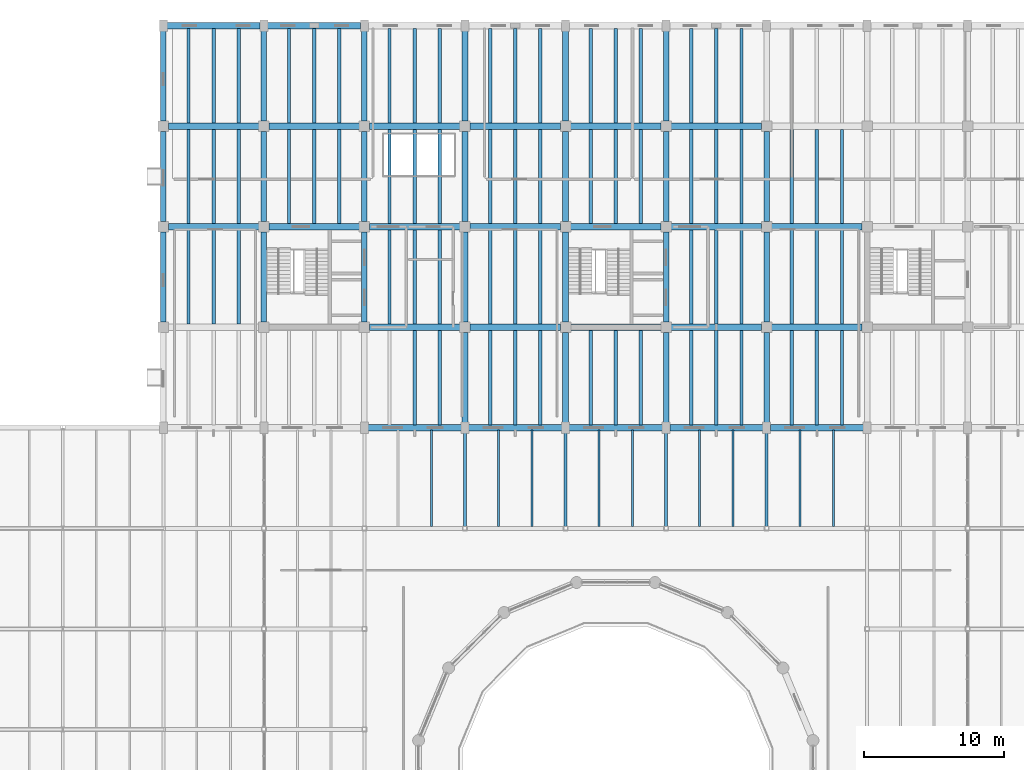
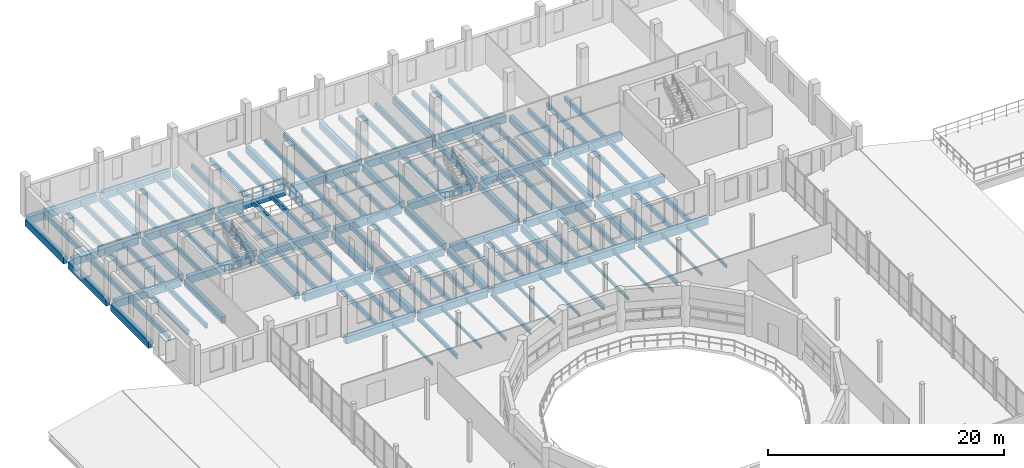
# One storey, part 32 of 63: 130 beams.
"""IFC4 building model written with IfcOpenShell, lengths in metres."""

import ifcopenshell
import ifcopenshell.guid

model = None  # the IFC model being written
_history = None  # IfcOwnerHistory: only IFC2X3 demands one
_inside = {}  # id of a spatial element -> (the spatial element, [elements in it])
_under = {}  # id of a project, library or spatial element -> (it, [spatial elements below it])
_declared = {}  # id of a project -> (the project, [libraries it declares])
_typed = {}  # id of a type object -> (the type object, [elements of that type])
_made_of = {}  # id of a material, layer set ... -> (it, [elements and type objects made of it])


def new_model(schema):
    """Start an empty IFC model of exactly this schema.

    Asked for "IFC4X3", IfcOpenShell would pick the latest addendum, in which some entities
    have other attributes; the version numbers below select the first issue.
    IFC2X3 requires an IfcOwnerHistory on every rooted entity: one is made here for all.
    """
    global model, _history
    if schema == "IFC4X3":
        model = ifcopenshell.file(schema_version=(4, 3, 0, 0))
    else:
        model = ifcopenshell.file(schema=schema)
    _inside.clear()
    _under.clear()
    _declared.clear()
    _typed.clear()
    _made_of.clear()
    _history = None
    if model.schema == "IFC2X3":
        org = make("IfcOrganization", Name="unknown")
        user = make(
            "IfcPersonAndOrganization",
            ThePerson=make("IfcPerson", FamilyName="unknown"),
            TheOrganization=org,
        )
        app = make(
            "IfcApplication",
            ApplicationDeveloper=org,
            Version="unknown",
            ApplicationFullName="unknown",
            ApplicationIdentifier="unknown",
        )
        _history = make(
            "IfcOwnerHistory",
            OwningUser=user,
            OwningApplication=app,
            ChangeAction="ADDED",
            CreationDate=0,
        )
    return model


def make(cls, **values):
    """One entity of the class cls with the attributes given. An attribute that is None is left unset."""
    return model.create_entity(
        cls, **{name: value for name, value in values.items() if value is not None}
    )


def rooted(cls, **values):
    """An entity with a GlobalId (a new one), such as an element, a storey or a relation."""
    return make(cls, GlobalId=ifcopenshell.guid.new(), OwnerHistory=_history, **values)


def si_unit(unit_type, name, prefix=None):
    """IfcSIUnit, for example si_unit("LENGTHUNIT", "METRE", prefix="MILLI")."""
    return make("IfcSIUnit", UnitType=unit_type, Prefix=prefix, Name=name)


def assignment(units):
    """IfcUnitAssignment: the units of a project."""
    return None if units is None else make("IfcUnitAssignment", Units=units)


def point(xyz):
    """IfcCartesianPoint."""
    return None if xyz is None else make("IfcCartesianPoint", Coordinates=xyz)


def direction(xyz):
    """IfcDirection."""
    return None if xyz is None else make("IfcDirection", DirectionRatios=xyz)


def frame(location, z_axis=None, x_axis=None):
    """IfcAxis2Placement3D, a coordinate frame: its origin and axes. An axis left out is left unset."""
    return make(
        "IfcAxis2Placement3D",
        Location=point(location),
        Axis=direction(z_axis),
        RefDirection=direction(x_axis),
    )


def frame_2d(location, x_axis=None):
    """IfcAxis2Placement2D, a coordinate frame in the plane: its origin and x axis."""
    return make(
        "IfcAxis2Placement2D", Location=point(location), RefDirection=direction(x_axis)
    )


def origin():
    """The frame at (0, 0, 0) with its axes left unset."""
    return frame((0.0, 0.0, 0.0))


def origin_2d():
    """The frame at (0, 0) in the plane with its x axis left unset."""
    return frame_2d((0.0, 0.0))


def place(relative_to, where):
    """IfcLocalPlacement: puts the frame where relative to a parent placement (None: the world)."""
    return make(
        "IfcLocalPlacement", PlacementRelTo=relative_to, RelativePlacement=where
    )


def context(
    kind, dimensions, precision=None, world=None, true_north=None, identifier=None
):
    """IfcGeometricRepresentationContext, for example the 3D "Model" context."""
    return make(
        "IfcGeometricRepresentationContext",
        ContextIdentifier=identifier,
        ContextType=kind,
        CoordinateSpaceDimension=dimensions,
        Precision=precision,
        WorldCoordinateSystem=world,
        TrueNorth=true_north,
    )


def subcontext(parent, identifier, kind, view, scale=None):
    """IfcGeometricRepresentationSubContext, for example "Body" below "Model"."""
    return make(
        "IfcGeometricRepresentationSubContext",
        ContextIdentifier=identifier,
        ContextType=kind,
        ParentContext=parent,
        TargetScale=scale,
        TargetView=view,
    )


def project(units=None, contexts=None):
    """IfcProject with its units and contexts."""
    return rooted(
        "IfcProject",
        Name="project",
        RepresentationContexts=contexts,
        UnitsInContext=assignment(units),
    )


def spatial(cls, under=None, at=None, **own):
    """A site, building, storey or space (cls), placed at a placement, below another one or the project."""
    s = rooted(cls, ObjectPlacement=at, **own)
    if under is not None:
        _under.setdefault(under.id(), (under, []))[1].append(s)
    return s


def profile(cls, at=None, kind="AREA", **sizes):
    """A parametric profile (cls). Its sizes go by their IFC names, for example OverallWidth=200.0."""
    return make(cls, ProfileType=kind, Position=at, **sizes)


def rectangle(**sizes):
    """IfcRectangleProfileDef."""
    return profile("IfcRectangleProfileDef", **sizes)


def i_section(**sizes):
    """IfcIShapeProfileDef."""
    return profile("IfcIShapeProfileDef", **sizes)


def extrude(swept, where, along, depth):
    """IfcExtrudedAreaSolid: the profile swept, set in the frame where, extruded along a direction by depth."""
    return make(
        "IfcExtrudedAreaSolid",
        SweptArea=swept,
        Position=where,
        ExtrudedDirection=direction(along),
        Depth=depth,
    )


def shape(context_of_items, identifier, shape_type, items):
    """IfcShapeRepresentation: the items that make up one representation, for example the "Body"."""
    return make(
        "IfcShapeRepresentation",
        ContextOfItems=context_of_items,
        RepresentationIdentifier=identifier,
        RepresentationType=shape_type,
        Items=items,
    )


def material(Name=None, Category=None):
    """IfcMaterial."""
    return make("IfcMaterial", Name=Name, Category=Category)


def material_profile(
    of_material, cross_section, Name=None, Category=None, Priority=None
):
    """IfcMaterialProfile: a cross section and its material."""
    return make(
        "IfcMaterialProfile",
        Name=Name,
        Material=of_material,
        Profile=cross_section,
        Priority=Priority,
        Category=Category,
    )


def profile_set(profiles, Name=None, composite=None):
    """IfcMaterialProfileSet."""
    return make(
        "IfcMaterialProfileSet",
        Name=Name,
        MaterialProfiles=profiles,
        CompositeProfile=composite,
    )


def made_of(thing, what):
    """Note that an element or type object is made of a material, layer set ...; save() writes the relation."""
    if what is not None:
        _made_of.setdefault(what.id(), (what, []))[1].append(thing)
    return thing


def type_object(cls, material=None, **own):
    """A type object (cls), such as IfcWallType, which elements share."""
    return made_of(rooted(cls, **own), material)


def element(
    cls,
    number,
    at=None,
    inside=None,
    cuts=None,
    type_object=None,
    material=None,
    context=None,
    identifier="Body",
    shape_type=None,
    held_by="IfcProductDefinitionShape",
    body=None,
    shapes=None,
    **own,
):
    """One element of the class cls, such as IfcWall. Its Tag is "e" and its number.

    at: its placement. inside: the storey or other place that contains it. cuts: it is an
    opening in that element (IfcRelVoidsElement). A single representation is given by context,
    identifier, shape_type and body (its items); several are given by shapes. held_by: the class
    of the entity that holds the representations. save() writes the other relations.
    """
    e = rooted(cls, Tag="e%d" % number, ObjectPlacement=at, **own)
    if body is not None:
        shapes = [shape(context, identifier, shape_type, body)]
    if shapes is not None:
        e.Representation = make(held_by, Representations=shapes)
    if inside is not None:
        _inside.setdefault(inside.id(), (inside, []))[1].append(e)
    if cuts is not None:
        rooted(
            "IfcRelVoidsElement", RelatingBuildingElement=cuts, RelatedOpeningElement=e
        )
    if type_object is not None:
        _typed.setdefault(type_object.id(), (type_object, []))[1].append(e)
    return made_of(e, material)


def aggregate(whole, parts):
    """IfcRelAggregates: a whole, such as a stair, and the parts it consists of."""
    return rooted("IfcRelAggregates", RelatingObject=whole, RelatedObjects=parts)


def save(model, path):
    """Write the relations noted so far, then the file.

    IfcRelAggregates (storeys below a building ...), IfcRelContainedInSpatialStructure (elements
    in a storey), IfcRelDefinesByType, IfcRelAssociatesMaterial and IfcRelDeclares: one each for
    every whole, place, type object, material and project.
    """
    for whole, parts in _under.values():
        aggregate(whole, parts)
    for where, things in _inside.values():
        rooted(
            "IfcRelContainedInSpatialStructure",
            RelatedElements=things,
            RelatingStructure=where,
        )
    for kind, things in _typed.values():
        rooted("IfcRelDefinesByType", RelatedObjects=things, RelatingType=kind)
    for what, things in _made_of.values():
        rooted("IfcRelAssociatesMaterial", RelatedObjects=things, RelatingMaterial=what)
    for by, libraries in _declared.values():
        rooted("IfcRelDeclares", RelatingContext=by, RelatedDefinitions=libraries)
    model.write(path)


model = new_model("IFC4")

# Units and contexts
model_context = context("Model", 3, precision=1e-05, world=origin(), true_north=direction((0.0, 1.0)))
body_context = subcontext(model_context, "Body", "Model", "MODEL_VIEW")
ifc_project = project(units=[si_unit("LENGTHUNIT", "METRE"), si_unit("AREAUNIT", "SQUARE_METRE"), si_unit("VOLUMEUNIT", "CUBIC_METRE"), si_unit("PLANEANGLEUNIT", "RADIAN"), si_unit("MASSUNIT", "GRAM", prefix="KILO")], contexts=[model_context])

# Site, building, storey
site_placement = place(None, origin())
site = spatial("IfcSite", under=ifc_project, at=site_placement, CompositionType="ELEMENT")
building_placement = place(site_placement, origin())
building = spatial("IfcBuilding", under=site, at=building_placement, Name="Qiaolan Assembly House", CompositionType="ELEMENT")
storey_placement = place(building_placement, frame((0.0, 0.0, 14.39990234375)))
storey = spatial("IfcBuildingStorey", under=building, at=storey_placement, Name="L03", CompositionType="ELEMENT", Elevation=14.39990234375)

# Beams
ifc_material_1 = material(Name="Concrete C40/50", Category="concrete")
ifc_material_profile_1 = material_profile(ifc_material_1, rectangle(XDim=0.39990234375, YDim=0.699951171875, at=origin_2d()), Name="RCB 400x700")
ifc_profile_set_1 = profile_set([ifc_material_profile_1], Name="Concrete C40/50")
beam_type_1 = type_object("IfcBeamType", Name="BM-RC-400x700", PredefinedType="BEAM", material=ifc_profile_set_1)
for number, where, z_axis, x_axis, name in (
    (1, (36.0, 93.965087890625, -0.579833984375), (0.0, 1.0, 0.0), (-1.0, 0.0, 0.0), "GB-05 beam BMY-NW-L03-00-01"),
    (2, (36.0, 101.1650390625, -0.579833984375), (0.0, 1.0, 0.0), (-1.0, 0.0, 0.0), "GB-05 beam BMY-NW-L03-00-02"),
):
    element("IfcBeam", number, at=place(storey_placement, frame(where, z_axis=z_axis, x_axis=x_axis)), inside=storey, type_object=beam_type_1, Name=name, PredefinedType="BEAM", context=body_context, shape_type="SweptSolid", body=[
        extrude(rectangle(XDim=0.39990234375, YDim=0.699951171875, at=origin_2d()), origin(), (0.0, 0.0, 1.0), 6.469970703125),
    ])
beam_1_placement = place(storey_placement, frame((36.0, 108.364990234375, -0.579833984375), z_axis=(0.0, 1.0, 0.0), x_axis=(-1.0, 0.0, 0.0)))
element("IfcBeam", 3, at=beam_1_placement, inside=storey, type_object=beam_type_1, Name="GB-05 beam BMY-NW-L03-00-03", PredefinedType="BEAM", context=body_context, shape_type="SweptSolid", body=[
    extrude(rectangle(XDim=0.39990234375, YDim=0.699951171875, at=origin_2d()), origin(), (0.0, 0.0, 1.0), 6.570068359375),
])
for number, where, z_axis, x_axis, name in (
    (4, (43.199951171875, 93.965087890625, -0.579833984375), (0.0, 1.0, 0.0), (-1.0, 0.0, 0.0), "GB-05 beam BMY-NW-L03-01-01"),
    (5, (43.199951171875, 101.1650390625, -0.579833984375), (0.0, 1.0, 0.0), (-1.0, 0.0, 0.0), "GB-05 beam BMY-NW-L03-01-02"),
):
    element("IfcBeam", number, at=place(storey_placement, frame(where, z_axis=z_axis, x_axis=x_axis)), inside=storey, type_object=beam_type_1, Name=name, PredefinedType="BEAM", context=body_context, shape_type="SweptSolid", body=[
        extrude(rectangle(XDim=0.39990234375, YDim=0.699951171875, at=origin_2d()), origin(), (0.0, 0.0, 1.0), 6.469970703125),
    ])
beam_2_placement = place(storey_placement, frame((43.199951171875, 108.364990234375, -0.579833984375), z_axis=(0.0, 1.0, 0.0), x_axis=(-1.0, 0.0, 0.0)))
element("IfcBeam", 6, at=beam_2_placement, inside=storey, type_object=beam_type_1, Name="GB-05 beam BMY-NW-L03-01-03", PredefinedType="BEAM", context=body_context, shape_type="SweptSolid", body=[
    extrude(rectangle(XDim=0.39990234375, YDim=0.699951171875, at=origin_2d()), origin(), (0.0, 0.0, 1.0), 6.570068359375),
])
for number, where, z_axis, x_axis, name in (
    (7, (50.39990234375, 93.965087890625, -0.579833984375), (0.0, 1.0, 0.0), (-1.0, 0.0, 0.0), "GB-05 beam BMY-NW-L03-02-01"),
    (8, (50.39990234375, 101.1650390625, -0.579833984375), (0.0, 1.0, 0.0), (-1.0, 0.0, 0.0), "GB-05 beam BMY-NW-L03-02-02"),
):
    element("IfcBeam", number, at=place(storey_placement, frame(where, z_axis=z_axis, x_axis=x_axis)), inside=storey, type_object=beam_type_1, Name=name, PredefinedType="BEAM", context=body_context, shape_type="SweptSolid", body=[
        extrude(rectangle(XDim=0.39990234375, YDim=0.699951171875, at=origin_2d()), origin(), (0.0, 0.0, 1.0), 6.469970703125),
    ])
for number, where, z_axis, x_axis, name in (
    (9, (50.39990234375, 108.364990234375, -0.579833984375), (0.0, 1.0, 0.0), (-1.0, 0.0, 0.0), "GB-05 beam BMY-NW-L03-02-03"),
    (10, (57.60009765625, 86.6650390625, -0.579833984375), (0.0, 1.0, 0.0), (-1.0, 0.0, 0.0), "GB-05 beam BMY-NW-L03-03-00"),
):
    element("IfcBeam", number, at=place(storey_placement, frame(where, z_axis=z_axis, x_axis=x_axis)), inside=storey, type_object=beam_type_1, Name=name, PredefinedType="BEAM", context=body_context, shape_type="SweptSolid", body=[
        extrude(rectangle(XDim=0.39990234375, YDim=0.699951171875, at=origin_2d()), origin(), (0.0, 0.0, 1.0), 6.570068359375),
    ])
for number, where, z_axis, x_axis, name in (
    (11, (57.60009765625, 93.965087890625, -0.579833984375), (0.0, 1.0, 0.0), (-1.0, 0.0, 0.0), "GB-05 beam BMY-NW-L03-03-01"),
    (12, (57.60009765625, 101.1650390625, -0.579833984375), (0.0, 1.0, 0.0), (-1.0, 0.0, 0.0), "GB-05 beam BMY-NW-L03-03-02"),
):
    element("IfcBeam", number, at=place(storey_placement, frame(where, z_axis=z_axis, x_axis=x_axis)), inside=storey, type_object=beam_type_1, Name=name, PredefinedType="BEAM", context=body_context, shape_type="SweptSolid", body=[
        extrude(rectangle(XDim=0.39990234375, YDim=0.699951171875, at=origin_2d()), origin(), (0.0, 0.0, 1.0), 6.469970703125),
    ])
for number, where, z_axis, x_axis, name in (
    (13, (57.60009765625, 108.364990234375, -0.579833984375), (0.0, 1.0, 0.0), (-1.0, 0.0, 0.0), "GB-05 beam BMY-NW-L03-03-03"),
    (14, (64.800048828125, 86.6650390625, -0.579833984375), (0.0, 1.0, 0.0), (-1.0, 0.0, 0.0), "GB-05 beam BMY-NW-L03-04-00"),
):
    element("IfcBeam", number, at=place(storey_placement, frame(where, z_axis=z_axis, x_axis=x_axis)), inside=storey, type_object=beam_type_1, Name=name, PredefinedType="BEAM", context=body_context, shape_type="SweptSolid", body=[
        extrude(rectangle(XDim=0.39990234375, YDim=0.699951171875, at=origin_2d()), origin(), (0.0, 0.0, 1.0), 6.570068359375),
    ])
for number, where, z_axis, x_axis, name in (
    (15, (64.800048828125, 93.965087890625, -0.579833984375), (0.0, 1.0, 0.0), (-1.0, 0.0, 0.0), "GB-05 beam BMY-NW-L03-04-01"),
    (16, (64.800048828125, 101.1650390625, -0.579833984375), (0.0, 1.0, 0.0), (-1.0, 0.0, 0.0), "GB-05 beam BMY-NW-L03-04-02"),
):
    element("IfcBeam", number, at=place(storey_placement, frame(where, z_axis=z_axis, x_axis=x_axis)), inside=storey, type_object=beam_type_1, Name=name, PredefinedType="BEAM", context=body_context, shape_type="SweptSolid", body=[
        extrude(rectangle(XDim=0.39990234375, YDim=0.699951171875, at=origin_2d()), origin(), (0.0, 0.0, 1.0), 6.469970703125),
    ])
for number, where, z_axis, x_axis, name in (
    (17, (64.800048828125, 108.364990234375, -0.579833984375), (0.0, 1.0, 0.0), (-1.0, 0.0, 0.0), "GB-05 beam BMY-NW-L03-04-03"),
    (18, (72.0, 86.6650390625, -0.579833984375), (0.0, 1.0, 0.0), (-1.0, 0.0, 0.0), "GB-05 beam BMY-NW-L03-05-00"),
):
    element("IfcBeam", number, at=place(storey_placement, frame(where, z_axis=z_axis, x_axis=x_axis)), inside=storey, type_object=beam_type_1, Name=name, PredefinedType="BEAM", context=body_context, shape_type="SweptSolid", body=[
        extrude(rectangle(XDim=0.39990234375, YDim=0.699951171875, at=origin_2d()), origin(), (0.0, 0.0, 1.0), 6.570068359375),
    ])
for number, where, z_axis, x_axis, name in (
    (19, (72.0, 93.965087890625, -0.579833984375), (0.0, 1.0, 0.0), (-1.0, 0.0, 0.0), "GB-05 beam BMY-NW-L03-05-01"),
    (20, (72.0, 101.1650390625, -0.579833984375), (0.0, 1.0, 0.0), (-1.0, 0.0, 0.0), "GB-05 beam BMY-NW-L03-05-02"),
):
    element("IfcBeam", number, at=place(storey_placement, frame(where, z_axis=z_axis, x_axis=x_axis)), inside=storey, type_object=beam_type_1, Name=name, PredefinedType="BEAM", context=body_context, shape_type="SweptSolid", body=[
        extrude(rectangle(XDim=0.39990234375, YDim=0.699951171875, at=origin_2d()), origin(), (0.0, 0.0, 1.0), 6.469970703125),
    ])
for number, where, z_axis, x_axis, name in (
    (21, (72.0, 108.364990234375, -0.579833984375), (0.0, 1.0, 0.0), (-1.0, 0.0, 0.0), "GB-05 beam BMY-NW-L03-05-03"),
    (22, (79.199951171875, 86.6650390625, -0.579833984375), (0.0, 1.0, 0.0), (-1.0, 0.0, 0.0), "GB-05 beam BMY-NW-L03-06-00"),
):
    element("IfcBeam", number, at=place(storey_placement, frame(where, z_axis=z_axis, x_axis=x_axis)), inside=storey, type_object=beam_type_1, Name=name, PredefinedType="BEAM", context=body_context, shape_type="SweptSolid", body=[
        extrude(rectangle(XDim=0.39990234375, YDim=0.699951171875, at=origin_2d()), origin(), (0.0, 0.0, 1.0), 6.570068359375),
    ])
for number, where, z_axis, x_axis, name in (
    (23, (79.199951171875, 93.965087890625, -0.579833984375), (0.0, 1.0, 0.0), (-1.0, 0.0, 0.0), "GB-05 beam BMY-NW-L03-06-01"),
    (24, (79.199951171875, 101.1650390625, -0.579833984375), (0.0, 1.0, 0.0), (-1.0, 0.0, 0.0), "GB-05 beam BMY-NW-L03-06-02"),
):
    element("IfcBeam", number, at=place(storey_placement, frame(where, z_axis=z_axis, x_axis=x_axis)), inside=storey, type_object=beam_type_1, Name=name, PredefinedType="BEAM", context=body_context, shape_type="SweptSolid", body=[
        extrude(rectangle(XDim=0.39990234375, YDim=0.699951171875, at=origin_2d()), origin(), (0.0, 0.0, 1.0), 6.469970703125),
    ])
ifc_material_profile_2 = material_profile(ifc_material_1, rectangle(XDim=0.449951171875, YDim=0.75, at=origin_2d()), Name="RCB 450x750")
ifc_profile_set_2 = profile_set([ifc_material_profile_2], Name="Concrete C40/50")
beam_type_2 = type_object("IfcBeamType", Name="BM-RC-450x750", PredefinedType="BEAM", material=ifc_profile_set_2)
for number, where, z_axis, x_axis, name in (
    (25, (50.6650390625, 86.39990234375, -0.60498046875), (1.0, 0.0, 0.0), (0.0, 1.0, 0.0), "GB-04 beam BMX-NW-L03-02-00"),
    (26, (57.864990234375, 86.39990234375, -0.60498046875), (1.0, 0.0, 0.0), (0.0, 1.0, 0.0), "GB-04 beam BMX-NW-L03-03-00"),
):
    element("IfcBeam", number, at=place(storey_placement, frame(where, z_axis=z_axis, x_axis=x_axis)), inside=storey, type_object=beam_type_2, Name=name, PredefinedType="BEAM", context=body_context, shape_type="SweptSolid", body=[
        extrude(rectangle(XDim=0.449951171875, YDim=0.75, at=origin_2d()), origin(), (0.0, 0.0, 1.0), 6.669921875),
    ])
for number, where, z_axis, x_axis, name in (
    (27, (65.06494140625, 86.39990234375, -0.60498046875), (1.0, 0.0, 0.0), (0.0, 1.0, 0.0), "GB-04 beam BMX-NW-L03-04-00"),
    (28, (72.264892578125, 86.39990234375, -0.60498046875), (1.0, 0.0, 0.0), (0.0, 1.0, 0.0), "GB-04 beam BMX-NW-L03-05-00"),
):
    element("IfcBeam", number, at=place(storey_placement, frame(where, z_axis=z_axis, x_axis=x_axis)), inside=storey, type_object=beam_type_2, Name=name, PredefinedType="BEAM", context=body_context, shape_type="SweptSolid", body=[
        extrude(rectangle(XDim=0.449951171875, YDim=0.75, at=origin_2d()), origin(), (0.0, 0.0, 1.0), 6.670166015625),
    ])
beam_3_placement = place(storey_placement, frame((79.465087890625, 86.39990234375, -0.60498046875), z_axis=(1.0, 0.0, 0.0), x_axis=(0.0, 1.0, 0.0)))
element("IfcBeam", 29, at=beam_3_placement, inside=storey, type_object=beam_type_2, Name="GB-04 beam BMX-NW-L03-06-00", PredefinedType="BEAM", context=body_context, shape_type="SweptSolid", body=[
    extrude(rectangle(XDim=0.449951171875, YDim=0.75, at=origin_2d()), origin(), (0.0, 0.0, 1.0), 6.669921875),
])
beam_4_placement = place(storey_placement, frame((50.764892578125, 93.60009765625, -0.60498046875), z_axis=(1.0, 0.0, 0.0), x_axis=(0.0, 1.0, 0.0)))
element("IfcBeam", 30, at=beam_4_placement, inside=storey, type_object=beam_type_2, Name="GB-04 beam BMX-NW-L03-02-01", PredefinedType="BEAM", context=body_context, shape_type="SweptSolid", body=[
    extrude(rectangle(XDim=0.449951171875, YDim=0.75, at=origin_2d()), origin(), (0.0, 0.0, 1.0), 6.47021484375),
])
for number, where, z_axis, x_axis, name in (
    (31, (57.965087890625, 93.60009765625, -0.60498046875), (1.0, 0.0, 0.0), (0.0, 1.0, 0.0), "GB-04 beam BMX-NW-L03-03-01"),
    (32, (65.1650390625, 93.60009765625, -0.60498046875), (1.0, 0.0, 0.0), (0.0, 1.0, 0.0), "GB-04 beam BMX-NW-L03-04-01"),
    (33, (72.364990234375, 93.60009765625, -0.60498046875), (1.0, 0.0, 0.0), (0.0, 1.0, 0.0), "GB-04 beam BMX-NW-L03-05-01"),
    (34, (79.56494140625, 93.60009765625, -0.60498046875), (1.0, 0.0, 0.0), (0.0, 1.0, 0.0), "GB-04 beam BMX-NW-L03-06-01"),
    (35, (36.364990234375, 100.800048828125, -0.60498046875), (1.0, 0.0, 0.0), (0.0, 1.0, 0.0), "GB-04 beam BMX-NW-L03-00-02"),
    (36, (43.56494140625, 100.800048828125, -0.60498046875), (1.0, 0.0, 0.0), (0.0, 1.0, 0.0), "GB-04 beam BMX-NW-L03-01-02"),
):
    element("IfcBeam", number, at=place(storey_placement, frame(where, z_axis=z_axis, x_axis=x_axis)), inside=storey, type_object=beam_type_2, Name=name, PredefinedType="BEAM", context=body_context, shape_type="SweptSolid", body=[
        extrude(rectangle(XDim=0.449951171875, YDim=0.75, at=origin_2d()), origin(), (0.0, 0.0, 1.0), 6.469970703125),
    ])
beam_5_placement = place(storey_placement, frame((50.764892578125, 100.800048828125, -0.60498046875), z_axis=(1.0, 0.0, 0.0), x_axis=(0.0, 1.0, 0.0)))
element("IfcBeam", 37, at=beam_5_placement, inside=storey, type_object=beam_type_2, Name="GB-04 beam BMX-NW-L03-02-02", PredefinedType="BEAM", context=body_context, shape_type="SweptSolid", body=[
    extrude(rectangle(XDim=0.449951171875, YDim=0.75, at=origin_2d()), origin(), (0.0, 0.0, 1.0), 6.47021484375),
])
for number, where, z_axis, x_axis, name in (
    (38, (57.965087890625, 100.800048828125, -0.60498046875), (1.0, 0.0, 0.0), (0.0, 1.0, 0.0), "GB-04 beam BMX-NW-L03-03-02"),
    (39, (65.1650390625, 100.800048828125, -0.60498046875), (1.0, 0.0, 0.0), (0.0, 1.0, 0.0), "GB-04 beam BMX-NW-L03-04-02"),
    (40, (72.364990234375, 100.800048828125, -0.60498046875), (1.0, 0.0, 0.0), (0.0, 1.0, 0.0), "GB-04 beam BMX-NW-L03-05-02"),
    (41, (79.56494140625, 100.800048828125, -0.60498046875), (1.0, 0.0, 0.0), (0.0, 1.0, 0.0), "GB-04 beam BMX-NW-L03-06-02"),
    (42, (36.364990234375, 108.0, -0.60498046875), (1.0, 0.0, 0.0), (0.0, 1.0, 0.0), "GB-04 beam BMX-NW-L03-00-03"),
    (43, (43.56494140625, 108.0, -0.60498046875), (1.0, 0.0, 0.0), (0.0, 1.0, 0.0), "GB-04 beam BMX-NW-L03-01-03"),
):
    element("IfcBeam", number, at=place(storey_placement, frame(where, z_axis=z_axis, x_axis=x_axis)), inside=storey, type_object=beam_type_2, Name=name, PredefinedType="BEAM", context=body_context, shape_type="SweptSolid", body=[
        extrude(rectangle(XDim=0.449951171875, YDim=0.75, at=origin_2d()), origin(), (0.0, 0.0, 1.0), 6.469970703125),
    ])
beam_6_placement = place(storey_placement, frame((50.764892578125, 108.0, -0.60498046875), z_axis=(1.0, 0.0, 0.0), x_axis=(0.0, 1.0, 0.0)))
element("IfcBeam", 44, at=beam_6_placement, inside=storey, type_object=beam_type_2, Name="GB-04 beam BMX-NW-L03-02-03", PredefinedType="BEAM", context=body_context, shape_type="SweptSolid", body=[
    extrude(rectangle(XDim=0.449951171875, YDim=0.75, at=origin_2d()), origin(), (0.0, 0.0, 1.0), 6.47021484375),
])
for number, where, z_axis, x_axis, name in (
    (45, (57.965087890625, 108.0, -0.60498046875), (1.0, 0.0, 0.0), (0.0, 1.0, 0.0), "GB-04 beam BMX-NW-L03-03-03"),
    (46, (65.1650390625, 108.0, -0.60498046875), (1.0, 0.0, 0.0), (0.0, 1.0, 0.0), "GB-04 beam BMX-NW-L03-04-03"),
    (47, (72.364990234375, 108.0, -0.60498046875), (1.0, 0.0, 0.0), (0.0, 1.0, 0.0), "GB-04 beam BMX-NW-L03-05-03"),
):
    element("IfcBeam", number, at=place(storey_placement, frame(where, z_axis=z_axis, x_axis=x_axis)), inside=storey, type_object=beam_type_2, Name=name, PredefinedType="BEAM", context=body_context, shape_type="SweptSolid", body=[
        extrude(rectangle(XDim=0.449951171875, YDim=0.75, at=origin_2d()), origin(), (0.0, 0.0, 1.0), 6.469970703125),
    ])
beam_7_placement = place(storey_placement, frame((36.264892578125, 115.199951171875, -0.60498046875), z_axis=(1.0, 0.0, 0.0), x_axis=(0.0, 1.0, 0.0)))
element("IfcBeam", 48, at=beam_7_placement, inside=storey, type_object=beam_type_2, Name="GB-04 beam BMX-NW-L03-00-04", PredefinedType="BEAM", context=body_context, shape_type="SweptSolid", body=[
    extrude(rectangle(XDim=0.449951171875, YDim=0.75, at=origin_2d()), origin(), (0.0, 0.0, 1.0), 6.670166015625),
])
beam_8_placement = place(storey_placement, frame((43.465087890625, 115.199951171875, -0.60498046875), z_axis=(1.0, 0.0, 0.0), x_axis=(0.0, 1.0, 0.0)))
element("IfcBeam", 49, at=beam_8_placement, inside=storey, type_object=beam_type_2, Name="GB-04 beam BMX-NW-L03-01-04", PredefinedType="BEAM", context=body_context, shape_type="SweptSolid", body=[
    extrude(rectangle(XDim=0.449951171875, YDim=0.75, at=origin_2d()), origin(), (0.0, 0.0, 1.0), 6.669921875),
])
ifc_material_2 = material(Name="Steel Q355B", Category="steel")
ifc_material_profile_3 = material_profile(ifc_material_2, i_section(OverallWidth=0.199951171875, OverallDepth=0.449951171875, WebThickness=0.009033203125, FlangeThickness=0.013916015625, FilletRadius=0.01611328125, at=origin_2d()), Name="HN 450x200x9x14")
ifc_profile_set_3 = profile_set([ifc_material_profile_3], Name="Steel Q355B")
beam_type_3 = type_object("IfcBeamType", Name="BM-STL-HN450", PredefinedType="BEAM", material=ifc_profile_set_3)
for number, where, z_axis, x_axis, name in (
    (50, (57.60009765625, 79.340087890625, -0.52490234375), (0.0, 1.0, 0.0), (-1.0, 0.0, 0.0), "SB-07 beam BMY-HLC-L03-02-06"),
    (51, (64.800048828125, 79.340087890625, -0.52490234375), (0.0, 1.0, 0.0), (-1.0, 0.0, 0.0), "SB-07 beam BMY-HLC-L03-03-06"),
    (52, (72.0, 79.340087890625, -0.52490234375), (0.0, 1.0, 0.0), (-1.0, 0.0, 0.0), "SB-07 beam BMY-HLC-L03-04-06"),
    (53, (79.199951171875, 79.340087890625, -0.52490234375), (0.0, 1.0, 0.0), (-1.0, 0.0, 0.0), "SB-07 beam BMY-HLC-L03-05-06"),
):
    element("IfcBeam", number, at=place(storey_placement, frame(where, z_axis=z_axis, x_axis=x_axis)), inside=storey, type_object=beam_type_3, Name=name, PredefinedType="BEAM", context=body_context, shape_type="SweptSolid", body=[
        extrude(i_section(OverallWidth=0.199951171875, OverallDepth=0.449951171875, WebThickness=0.009033203125, FlangeThickness=0.013916015625, FilletRadius=0.01611328125, at=origin_2d()), origin(), (0.0, 0.0, 1.0), 6.794921875),
    ])
ifc_material_profile_4 = material_profile(ifc_material_1, rectangle(XDim=0.239990234375, YDim=0.47998046875, at=origin_2d()), Name="RCB 240x480")
ifc_profile_set_4 = profile_set([ifc_material_profile_4], Name="Concrete C40/50")
beam_type_4 = type_object("IfcBeamType", Name="JST-RC-240x480", PredefinedType="JOIST", material=ifc_profile_set_4)
for number, where, z_axis, x_axis, name in (
    (54, (37.800048828125, 93.819091796875, -0.469970703125), (0.0, 1.0, 0.0), (-1.0, 0.0, 0.0), "RJ-05 beam JST-NW-L03-00-01-1"),
    (55, (39.60009765625, 93.819091796875, -0.469970703125), (0.0, 1.0, 0.0), (-1.0, 0.0, 0.0), "RJ-05 beam JST-NW-L03-00-01-2"),
    (56, (41.39990234375, 93.819091796875, -0.469970703125), (0.0, 1.0, 0.0), (-1.0, 0.0, 0.0), "RJ-05 beam JST-NW-L03-00-01-3"),
    (57, (37.800048828125, 101.01904296875, -0.469970703125), (0.0, 1.0, 0.0), (-1.0, 0.0, 0.0), "RJ-05 beam JST-NW-L03-00-02-1"),
    (58, (39.60009765625, 101.01904296875, -0.469970703125), (0.0, 1.0, 0.0), (-1.0, 0.0, 0.0), "RJ-05 beam JST-NW-L03-00-02-2"),
    (59, (41.39990234375, 101.01904296875, -0.469970703125), (0.0, 1.0, 0.0), (-1.0, 0.0, 0.0), "RJ-05 beam JST-NW-L03-00-02-3"),
    (60, (37.800048828125, 108.218994140625, -0.469970703125), (0.0, 1.0, 0.0), (-1.0, 0.0, 0.0), "RJ-05 beam JST-NW-L03-00-03-1"),
    (61, (39.60009765625, 108.218994140625, -0.469970703125), (0.0, 1.0, 0.0), (-1.0, 0.0, 0.0), "RJ-05 beam JST-NW-L03-00-03-2"),
    (62, (41.39990234375, 108.218994140625, -0.469970703125), (0.0, 1.0, 0.0), (-1.0, 0.0, 0.0), "RJ-05 beam JST-NW-L03-00-03-3"),
    (63, (45.0, 101.01904296875, -0.469970703125), (0.0, 1.0, 0.0), (-1.0, 0.0, 0.0), "RJ-05 beam JST-NW-L03-01-02-1"),
    (64, (46.800048828125, 101.01904296875, -0.469970703125), (0.0, 1.0, 0.0), (-1.0, 0.0, 0.0), "RJ-05 beam JST-NW-L03-01-02-2"),
    (65, (48.60009765625, 101.01904296875, -0.469970703125), (0.0, 1.0, 0.0), (-1.0, 0.0, 0.0), "RJ-05 beam JST-NW-L03-01-02-3"),
    (66, (45.0, 108.218994140625, -0.469970703125), (0.0, 1.0, 0.0), (-1.0, 0.0, 0.0), "RJ-05 beam JST-NW-L03-01-03-1"),
    (67, (46.800048828125, 108.218994140625, -0.469970703125), (0.0, 1.0, 0.0), (-1.0, 0.0, 0.0), "RJ-05 beam JST-NW-L03-01-03-2"),
    (68, (48.60009765625, 108.218994140625, -0.469970703125), (0.0, 1.0, 0.0), (-1.0, 0.0, 0.0), "RJ-05 beam JST-NW-L03-01-03-3"),
):
    element("IfcBeam", number, at=place(storey_placement, frame(where, z_axis=z_axis, x_axis=x_axis)), inside=storey, type_object=beam_type_4, Name=name, PredefinedType="JOIST", context=body_context, shape_type="SweptSolid", body=[
        extrude(rectangle(XDim=0.239990234375, YDim=0.47998046875, at=origin_2d()), origin(), (0.0, 0.0, 1.0), 6.761962890625),
    ])
for number, where, z_axis, x_axis, name in (
    (69, (54.0, 86.618896484375, -0.469970703125), (0.0, 1.0, 0.0), (-1.0, 0.0, 0.0), "RJ-05 beam JST-NW-L03-02-00-2"),
    (70, (55.800048828125, 86.618896484375, -0.469970703125), (0.0, 1.0, 0.0), (-1.0, 0.0, 0.0), "RJ-05 beam JST-NW-L03-02-00-3"),
):
    element("IfcBeam", number, at=place(storey_placement, frame(where, z_axis=z_axis, x_axis=x_axis)), inside=storey, type_object=beam_type_4, Name=name, PredefinedType="JOIST", context=body_context, shape_type="SweptSolid", body=[
        extrude(rectangle(XDim=0.239990234375, YDim=0.47998046875, at=origin_2d()), origin(), (0.0, 0.0, 1.0), 6.76220703125),
    ])
for number, where, z_axis, x_axis, name in (
    (71, (52.199951171875, 93.819091796875, -0.469970703125), (0.0, 1.0, 0.0), (-1.0, 0.0, 0.0), "RJ-05 beam JST-NW-L03-02-01-1"),
    (72, (54.0, 93.819091796875, -0.469970703125), (0.0, 1.0, 0.0), (-1.0, 0.0, 0.0), "RJ-05 beam JST-NW-L03-02-01-2"),
    (73, (55.800048828125, 93.819091796875, -0.469970703125), (0.0, 1.0, 0.0), (-1.0, 0.0, 0.0), "RJ-05 beam JST-NW-L03-02-01-3"),
    (74, (52.199951171875, 101.01904296875, -0.469970703125), (0.0, 1.0, 0.0), (-1.0, 0.0, 0.0), "RJ-05 beam JST-NW-L03-02-02-1"),
    (75, (54.0, 101.01904296875, -0.469970703125), (0.0, 1.0, 0.0), (-1.0, 0.0, 0.0), "RJ-05 beam JST-NW-L03-02-02-2"),
    (76, (55.800048828125, 101.01904296875, -0.469970703125), (0.0, 1.0, 0.0), (-1.0, 0.0, 0.0), "RJ-05 beam JST-NW-L03-02-02-3"),
    (77, (52.199951171875, 108.218994140625, -0.469970703125), (0.0, 1.0, 0.0), (-1.0, 0.0, 0.0), "RJ-05 beam JST-NW-L03-02-03-1"),
    (78, (54.0, 108.218994140625, -0.469970703125), (0.0, 1.0, 0.0), (-1.0, 0.0, 0.0), "RJ-05 beam JST-NW-L03-02-03-2"),
    (79, (55.800048828125, 108.218994140625, -0.469970703125), (0.0, 1.0, 0.0), (-1.0, 0.0, 0.0), "RJ-05 beam JST-NW-L03-02-03-3"),
):
    element("IfcBeam", number, at=place(storey_placement, frame(where, z_axis=z_axis, x_axis=x_axis)), inside=storey, type_object=beam_type_4, Name=name, PredefinedType="JOIST", context=body_context, shape_type="SweptSolid", body=[
        extrude(rectangle(XDim=0.239990234375, YDim=0.47998046875, at=origin_2d()), origin(), (0.0, 0.0, 1.0), 6.761962890625),
    ])
for number, where, z_axis, x_axis, name in (
    (80, (59.39990234375, 86.618896484375, -0.469970703125), (0.0, 1.0, 0.0), (-1.0, 0.0, 0.0), "RJ-05 beam JST-NW-L03-03-00-1"),
    (81, (61.199951171875, 86.618896484375, -0.469970703125), (0.0, 1.0, 0.0), (-1.0, 0.0, 0.0), "RJ-05 beam JST-NW-L03-03-00-2"),
    (82, (63.0, 86.618896484375, -0.469970703125), (0.0, 1.0, 0.0), (-1.0, 0.0, 0.0), "RJ-05 beam JST-NW-L03-03-00-3"),
):
    element("IfcBeam", number, at=place(storey_placement, frame(where, z_axis=z_axis, x_axis=x_axis)), inside=storey, type_object=beam_type_4, Name=name, PredefinedType="JOIST", context=body_context, shape_type="SweptSolid", body=[
        extrude(rectangle(XDim=0.239990234375, YDim=0.47998046875, at=origin_2d()), origin(), (0.0, 0.0, 1.0), 6.76220703125),
    ])
for number, where, z_axis, x_axis, name in (
    (83, (59.39990234375, 93.819091796875, -0.469970703125), (0.0, 1.0, 0.0), (-1.0, 0.0, 0.0), "RJ-05 beam JST-NW-L03-03-01-1"),
    (84, (61.199951171875, 93.819091796875, -0.469970703125), (0.0, 1.0, 0.0), (-1.0, 0.0, 0.0), "RJ-05 beam JST-NW-L03-03-01-2"),
    (85, (63.0, 93.819091796875, -0.469970703125), (0.0, 1.0, 0.0), (-1.0, 0.0, 0.0), "RJ-05 beam JST-NW-L03-03-01-3"),
    (86, (59.39990234375, 101.01904296875, -0.469970703125), (0.0, 1.0, 0.0), (-1.0, 0.0, 0.0), "RJ-05 beam JST-NW-L03-03-02-1"),
    (87, (61.199951171875, 101.01904296875, -0.469970703125), (0.0, 1.0, 0.0), (-1.0, 0.0, 0.0), "RJ-05 beam JST-NW-L03-03-02-2"),
    (88, (63.0, 101.01904296875, -0.469970703125), (0.0, 1.0, 0.0), (-1.0, 0.0, 0.0), "RJ-05 beam JST-NW-L03-03-02-3"),
    (89, (59.39990234375, 108.218994140625, -0.469970703125), (0.0, 1.0, 0.0), (-1.0, 0.0, 0.0), "RJ-05 beam JST-NW-L03-03-03-1"),
    (90, (61.199951171875, 108.218994140625, -0.469970703125), (0.0, 1.0, 0.0), (-1.0, 0.0, 0.0), "RJ-05 beam JST-NW-L03-03-03-2"),
    (91, (63.0, 108.218994140625, -0.469970703125), (0.0, 1.0, 0.0), (-1.0, 0.0, 0.0), "RJ-05 beam JST-NW-L03-03-03-3"),
):
    element("IfcBeam", number, at=place(storey_placement, frame(where, z_axis=z_axis, x_axis=x_axis)), inside=storey, type_object=beam_type_4, Name=name, PredefinedType="JOIST", context=body_context, shape_type="SweptSolid", body=[
        extrude(rectangle(XDim=0.239990234375, YDim=0.47998046875, at=origin_2d()), origin(), (0.0, 0.0, 1.0), 6.761962890625),
    ])
for number, where, z_axis, x_axis, name in (
    (92, (66.60009765625, 86.618896484375, -0.469970703125), (0.0, 1.0, 0.0), (-1.0, 0.0, 0.0), "RJ-05 beam JST-NW-L03-04-00-1"),
    (93, (68.39990234375, 86.618896484375, -0.469970703125), (0.0, 1.0, 0.0), (-1.0, 0.0, 0.0), "RJ-05 beam JST-NW-L03-04-00-2"),
    (94, (70.199951171875, 86.618896484375, -0.469970703125), (0.0, 1.0, 0.0), (-1.0, 0.0, 0.0), "RJ-05 beam JST-NW-L03-04-00-3"),
):
    element("IfcBeam", number, at=place(storey_placement, frame(where, z_axis=z_axis, x_axis=x_axis)), inside=storey, type_object=beam_type_4, Name=name, PredefinedType="JOIST", context=body_context, shape_type="SweptSolid", body=[
        extrude(rectangle(XDim=0.239990234375, YDim=0.47998046875, at=origin_2d()), origin(), (0.0, 0.0, 1.0), 6.76220703125),
    ])
for number, where, z_axis, x_axis, name in (
    (95, (66.60009765625, 101.01904296875, -0.469970703125), (0.0, 1.0, 0.0), (-1.0, 0.0, 0.0), "RJ-05 beam JST-NW-L03-04-02-1"),
    (96, (68.39990234375, 101.01904296875, -0.469970703125), (0.0, 1.0, 0.0), (-1.0, 0.0, 0.0), "RJ-05 beam JST-NW-L03-04-02-2"),
    (97, (70.199951171875, 101.01904296875, -0.469970703125), (0.0, 1.0, 0.0), (-1.0, 0.0, 0.0), "RJ-05 beam JST-NW-L03-04-02-3"),
    (98, (66.60009765625, 108.218994140625, -0.469970703125), (0.0, 1.0, 0.0), (-1.0, 0.0, 0.0), "RJ-05 beam JST-NW-L03-04-03-1"),
    (99, (68.39990234375, 108.218994140625, -0.469970703125), (0.0, 1.0, 0.0), (-1.0, 0.0, 0.0), "RJ-05 beam JST-NW-L03-04-03-2"),
    (100, (70.199951171875, 108.218994140625, -0.469970703125), (0.0, 1.0, 0.0), (-1.0, 0.0, 0.0), "RJ-05 beam JST-NW-L03-04-03-3"),
):
    element("IfcBeam", number, at=place(storey_placement, frame(where, z_axis=z_axis, x_axis=x_axis)), inside=storey, type_object=beam_type_4, Name=name, PredefinedType="JOIST", context=body_context, shape_type="SweptSolid", body=[
        extrude(rectangle(XDim=0.239990234375, YDim=0.47998046875, at=origin_2d()), origin(), (0.0, 0.0, 1.0), 6.761962890625),
    ])
for number, where, z_axis, x_axis, name in (
    (101, (73.800048828125, 86.618896484375, -0.469970703125), (0.0, 1.0, 0.0), (-1.0, 0.0, 0.0), "RJ-05 beam JST-NW-L03-05-00-1"),
    (102, (75.60009765625, 86.618896484375, -0.469970703125), (0.0, 1.0, 0.0), (-1.0, 0.0, 0.0), "RJ-05 beam JST-NW-L03-05-00-2"),
    (103, (77.39990234375, 86.618896484375, -0.469970703125), (0.0, 1.0, 0.0), (-1.0, 0.0, 0.0), "RJ-05 beam JST-NW-L03-05-00-3"),
):
    element("IfcBeam", number, at=place(storey_placement, frame(where, z_axis=z_axis, x_axis=x_axis)), inside=storey, type_object=beam_type_4, Name=name, PredefinedType="JOIST", context=body_context, shape_type="SweptSolid", body=[
        extrude(rectangle(XDim=0.239990234375, YDim=0.47998046875, at=origin_2d()), origin(), (0.0, 0.0, 1.0), 6.76220703125),
    ])
for number, where, z_axis, x_axis, name in (
    (104, (73.800048828125, 93.819091796875, -0.469970703125), (0.0, 1.0, 0.0), (-1.0, 0.0, 0.0), "RJ-05 beam JST-NW-L03-05-01-1"),
    (105, (75.60009765625, 93.819091796875, -0.469970703125), (0.0, 1.0, 0.0), (-1.0, 0.0, 0.0), "RJ-05 beam JST-NW-L03-05-01-2"),
    (106, (77.39990234375, 93.819091796875, -0.469970703125), (0.0, 1.0, 0.0), (-1.0, 0.0, 0.0), "RJ-05 beam JST-NW-L03-05-01-3"),
    (107, (73.800048828125, 101.01904296875, -0.469970703125), (0.0, 1.0, 0.0), (-1.0, 0.0, 0.0), "RJ-05 beam JST-NW-L03-05-02-1"),
    (108, (75.60009765625, 101.01904296875, -0.469970703125), (0.0, 1.0, 0.0), (-1.0, 0.0, 0.0), "RJ-05 beam JST-NW-L03-05-02-2"),
    (109, (77.39990234375, 101.01904296875, -0.469970703125), (0.0, 1.0, 0.0), (-1.0, 0.0, 0.0), "RJ-05 beam JST-NW-L03-05-02-3"),
    (110, (73.800048828125, 108.218994140625, -0.469970703125), (0.0, 1.0, 0.0), (-1.0, 0.0, 0.0), "RJ-05 beam JST-NW-L03-05-03-1"),
    (111, (75.60009765625, 108.218994140625, -0.469970703125), (0.0, 1.0, 0.0), (-1.0, 0.0, 0.0), "RJ-05 beam JST-NW-L03-05-03-2"),
    (112, (77.39990234375, 108.218994140625, -0.469970703125), (0.0, 1.0, 0.0), (-1.0, 0.0, 0.0), "RJ-05 beam JST-NW-L03-05-03-3"),
):
    element("IfcBeam", number, at=place(storey_placement, frame(where, z_axis=z_axis, x_axis=x_axis)), inside=storey, type_object=beam_type_4, Name=name, PredefinedType="JOIST", context=body_context, shape_type="SweptSolid", body=[
        extrude(rectangle(XDim=0.239990234375, YDim=0.47998046875, at=origin_2d()), origin(), (0.0, 0.0, 1.0), 6.761962890625),
    ])
for number, where, z_axis, x_axis, name in (
    (113, (81.0, 86.618896484375, -0.469970703125), (0.0, 1.0, 0.0), (-1.0, 0.0, 0.0), "RJ-05 beam JST-NW-L03-06-00-1"),
    (114, (82.800048828125, 86.618896484375, -0.469970703125), (0.0, 1.0, 0.0), (-1.0, 0.0, 0.0), "RJ-05 beam JST-NW-L03-06-00-2"),
    (115, (84.60009765625, 86.618896484375, -0.469970703125), (0.0, 1.0, 0.0), (-1.0, 0.0, 0.0), "RJ-05 beam JST-NW-L03-06-00-3"),
):
    element("IfcBeam", number, at=place(storey_placement, frame(where, z_axis=z_axis, x_axis=x_axis)), inside=storey, type_object=beam_type_4, Name=name, PredefinedType="JOIST", context=body_context, shape_type="SweptSolid", body=[
        extrude(rectangle(XDim=0.239990234375, YDim=0.47998046875, at=origin_2d()), origin(), (0.0, 0.0, 1.0), 6.76220703125),
    ])
for number, where, z_axis, x_axis, name in (
    (116, (81.0, 93.819091796875, -0.469970703125), (0.0, 1.0, 0.0), (-1.0, 0.0, 0.0), "RJ-05 beam JST-NW-L03-06-01-1"),
    (117, (82.800048828125, 93.819091796875, -0.469970703125), (0.0, 1.0, 0.0), (-1.0, 0.0, 0.0), "RJ-05 beam JST-NW-L03-06-01-2"),
    (118, (84.60009765625, 93.819091796875, -0.469970703125), (0.0, 1.0, 0.0), (-1.0, 0.0, 0.0), "RJ-05 beam JST-NW-L03-06-01-3"),
    (119, (81.0, 101.01904296875, -0.469970703125), (0.0, 1.0, 0.0), (-1.0, 0.0, 0.0), "RJ-05 beam JST-NW-L03-06-02-1"),
    (120, (82.800048828125, 101.01904296875, -0.469970703125), (0.0, 1.0, 0.0), (-1.0, 0.0, 0.0), "RJ-05 beam JST-NW-L03-06-02-2"),
    (121, (84.60009765625, 101.01904296875, -0.469970703125), (0.0, 1.0, 0.0), (-1.0, 0.0, 0.0), "RJ-05 beam JST-NW-L03-06-02-3"),
):
    element("IfcBeam", number, at=place(storey_placement, frame(where, z_axis=z_axis, x_axis=x_axis)), inside=storey, type_object=beam_type_4, Name=name, PredefinedType="JOIST", context=body_context, shape_type="SweptSolid", body=[
        extrude(rectangle(XDim=0.239990234375, YDim=0.47998046875, at=origin_2d()), origin(), (0.0, 0.0, 1.0), 6.761962890625),
    ])
ifc_material_profile_5 = material_profile(ifc_material_2, i_section(OverallWidth=0.14990234375, OverallDepth=0.300048828125, WebThickness=0.006591796875, FlangeThickness=0.009033203125, FilletRadius=0.012939453125, at=origin_2d()), Name="HN 300x150x6.5x9")
ifc_profile_set_5 = profile_set([ifc_material_profile_5], Name="Steel Q355B")
beam_type_5 = type_object("IfcBeamType", Name="JST-STL-HN300", PredefinedType="JOIST", material=ifc_profile_set_5)
for number, where, z_axis, x_axis, name in (
    (122, (55.199951171875, 79.343994140625, -0.449951171875), (0.0, 1.0, 0.0), (-1.0, 0.0, 0.0), "SJ-02 beam JST-HLC-L03-01-06-2"),
    (123, (60.0, 79.343994140625, -0.449951171875), (0.0, 1.0, 0.0), (-1.0, 0.0, 0.0), "SJ-02 beam JST-HLC-L03-02-06-1"),
    (124, (62.39990234375, 79.343994140625, -0.449951171875), (0.0, 1.0, 0.0), (-1.0, 0.0, 0.0), "SJ-02 beam JST-HLC-L03-02-06-2"),
    (125, (67.199951171875, 79.343994140625, -0.449951171875), (0.0, 1.0, 0.0), (-1.0, 0.0, 0.0), "SJ-02 beam JST-HLC-L03-03-06-1"),
    (126, (69.60009765625, 79.343994140625, -0.449951171875), (0.0, 1.0, 0.0), (-1.0, 0.0, 0.0), "SJ-02 beam JST-HLC-L03-03-06-2"),
    (127, (74.39990234375, 79.343994140625, -0.449951171875), (0.0, 1.0, 0.0), (-1.0, 0.0, 0.0), "SJ-02 beam JST-HLC-L03-04-06-1"),
    (128, (76.800048828125, 79.343994140625, -0.449951171875), (0.0, 1.0, 0.0), (-1.0, 0.0, 0.0), "SJ-02 beam JST-HLC-L03-04-06-2"),
    (129, (81.60009765625, 79.343994140625, -0.449951171875), (0.0, 1.0, 0.0), (-1.0, 0.0, 0.0), "SJ-02 beam JST-HLC-L03-05-06-1"),
    (130, (84.0, 79.343994140625, -0.449951171875), (0.0, 1.0, 0.0), (-1.0, 0.0, 0.0), "SJ-02 beam JST-HLC-L03-05-06-2"),
):
    element("IfcBeam", number, at=place(storey_placement, frame(where, z_axis=z_axis, x_axis=x_axis)), inside=storey, type_object=beam_type_5, Name=name, PredefinedType="JOIST", context=body_context, shape_type="SweptSolid", body=[
        extrude(i_section(OverallWidth=0.14990234375, OverallDepth=0.300048828125, WebThickness=0.006591796875, FlangeThickness=0.009033203125, FilletRadius=0.012939453125, at=origin_2d()), origin(), (0.0, 0.0, 1.0), 6.912109375),
    ])

save(model, "model.ifc")
